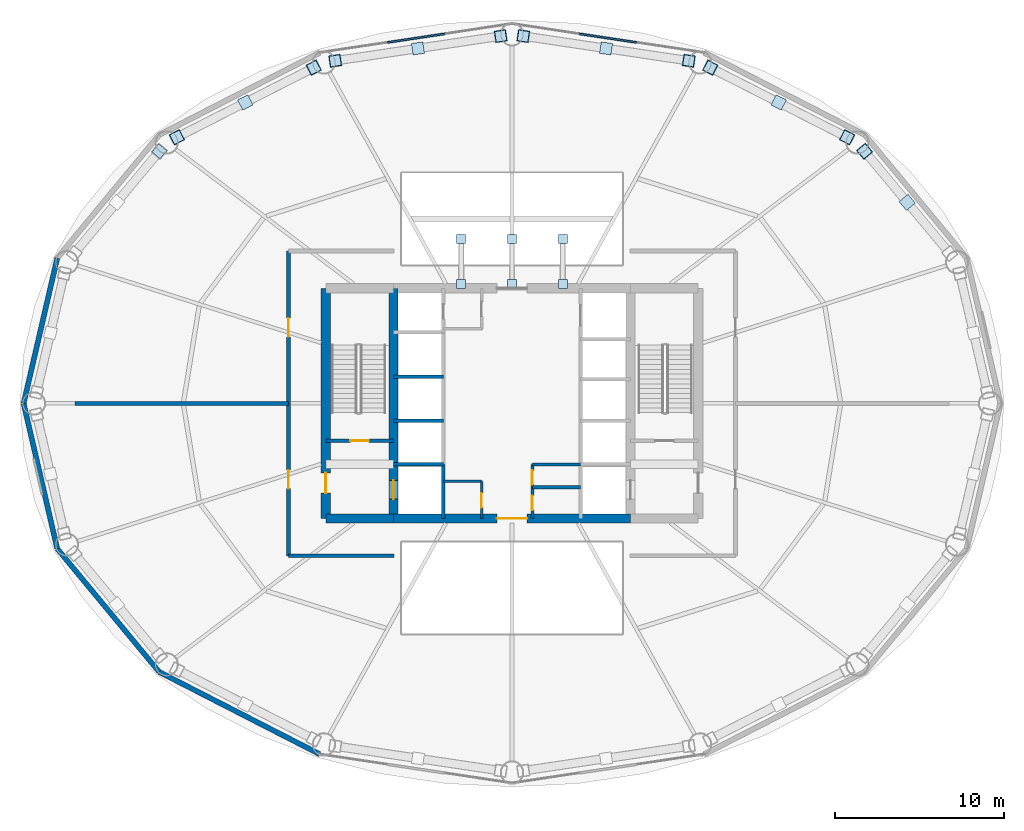
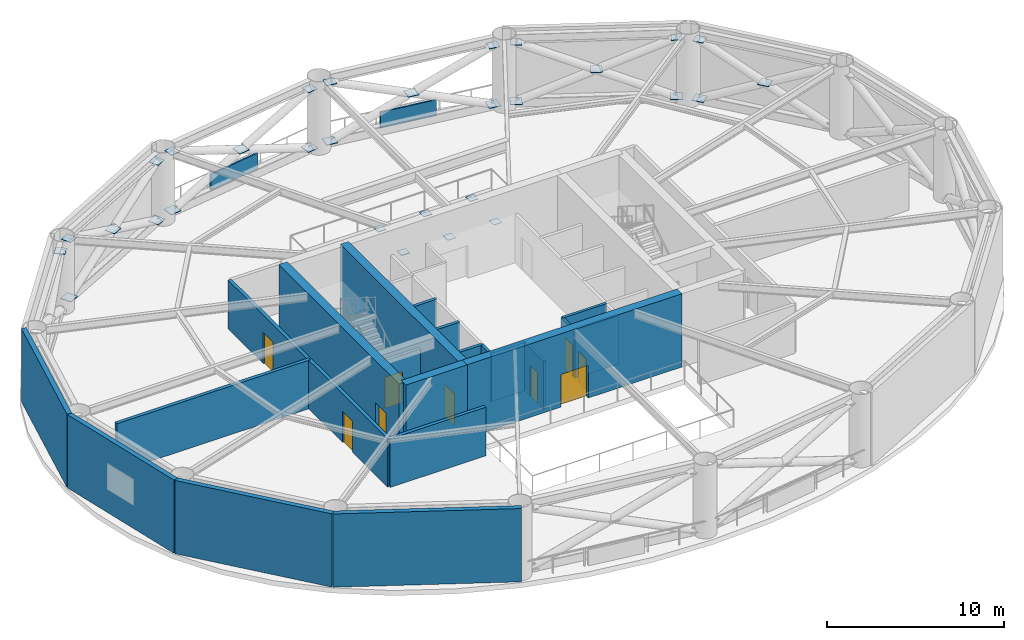
# One storey, part 4 of 7: 32 plates, 21 walls, 9 doors, 9 openings.
"""IFC4 building model written with IfcOpenShell, lengths in metres."""

from ifc_helpers import new_model, si_unit, direction, frame, frame_2d, origin, origin_2d, place, context, subcontext, project, spatial, rectangle, extrude, material, layer, layer_set, type_object, element, fill, save


model = new_model("IFC4")

# Units and contexts
model_context = context("Model", 3, precision=1e-05, world=origin(), true_north=direction((0.0, 1.0)))
body_context = subcontext(model_context, "Body", "Model", "MODEL_VIEW")
ifc_project = project(units=[si_unit("LENGTHUNIT", "METRE"), si_unit("AREAUNIT", "SQUARE_METRE"), si_unit("VOLUMEUNIT", "CUBIC_METRE"), si_unit("PLANEANGLEUNIT", "RADIAN"), si_unit("MASSUNIT", "GRAM", prefix="KILO")], contexts=[model_context])

# Site, building, storey
site_placement = place(None, origin())
site = spatial("IfcSite", under=ifc_project, at=site_placement, CompositionType="ELEMENT")
building_placement = place(site_placement, origin())
building = spatial("IfcBuilding", under=site, at=building_placement, Name="Sarneth Arch Tower", CompositionType="ELEMENT")
storey_placement = place(building_placement, frame((0.0, 0.0, 139.800048828125)))
storey = spatial("IfcBuildingStorey", under=building, at=storey_placement, Name="L35", CompositionType="ELEMENT", Elevation=139.800048828125)

# Plates
ifc_material_1 = material(Name="Aerodynamic Aluminium 6063-T6 wind-slot intake louvre", Category="aluminium")
ifc_layer_1 = layer(ifc_material_1, 0.110107421875)
ifc_layer_set_1 = layer_set([ifc_layer_1], Name="Aerodynamic Aluminium 6063-T6 wind-slot intake louvre")
plate_type_1 = type_object("IfcPlateType", Name="LOUVRE-TURBINE", PredefinedType="SHEET", material=ifc_layer_set_1)
for number, where, z_axis, x_axis, name in (
    (1, (53.675537109375, 63.576416015625, 0.0), (0.0, 0.0, 1.0), (-0.988886498745, 0.148672433897, 0.0), "L35 Wind-slot aerodynamic intake louvre 04"),
    (2, (42.324462890625, 63.576416015625, 0.0), (0.0, 0.0, 1.0), (-0.988886498745, -0.148672433897, 0.0), "L35 Wind-slot aerodynamic intake louvre 05"),
):
    element("IfcPlate", number, at=place(storey_placement, frame(where, z_axis=z_axis, x_axis=x_axis)), inside=storey, type_object=plate_type_1, Name=name, PredefinedType="SHEET", context=body_context, shape_type="SweptSolid", body=[
        extrude(rectangle(XDim=3.39990234375, YDim=0.110107421875, at=origin_2d()), origin(), (0.0, 0.0, 1.0), 1.10009765625),
    ])
ifc_material_2 = material(Name="Steel S355", Category="steel")
ifc_layer_2 = layer(ifc_material_2, 0.035888671875)
ifc_layer_set_2 = layer_set([ifc_layer_2], Name="Steel S355")
plate_type_2 = type_object("IfcPlateType", Name="PLT-GUSSET-30", PredefinedType="SHEET", material=ifc_layer_set_2)
plate_1_placement = place(storey_placement, frame((71.344482421875, 53.878662109375, 2.36669921875), z_axis=(0.0, 0.0, 1.0), x_axis=(-0.640109699485, 0.768283523594, 0.0)))
element("IfcPlate", 3, at=plate_1_placement, inside=storey, type_object=plate_type_2, Name="Steel end cap plate GP-1", PredefinedType="SHEET", context=body_context, shape_type="SweptSolid", body=[
    extrude(rectangle(XDim=0.679931640625, YDim=0.679931640625, at=origin_2d()), origin(), (0.0, 0.0, 1.0), 0.035888671875),
])
plate_2_placement = place(storey_placement, frame((68.829833984375, 56.896484375, 0.33203125), z_axis=(0.0, 0.0, 1.0), x_axis=(-0.640109699485, 0.768283523594, 0.0)))
element("IfcPlate", 4, at=plate_2_placement, inside=storey, type_object=plate_type_2, Name="Steel end cap plate GP-1", PredefinedType="SHEET", context=body_context, shape_type="SweptSolid", body=[
    extrude(rectangle(XDim=0.699951171875, YDim=0.699951171875, at=origin_2d()), origin(), (0.0, 0.0, 1.0), 0.035888671875),
])
plate_3_placement = place(storey_placement, frame((68.829833984375, 56.896484375, 4.40087890625), z_axis=(0.0, 0.0, 1.0), x_axis=(-0.640109699485, 0.768283523594, 0.0)))
element("IfcPlate", 5, at=plate_3_placement, inside=storey, type_object=plate_type_2, Name="Steel end cap plate GP-1", PredefinedType="SHEET", context=body_context, shape_type="SweptSolid", body=[
    extrude(rectangle(XDim=0.6298828125, YDim=0.6298828125, at=origin_2d()), origin(), (0.0, 0.0, 1.0), 0.035888671875),
])
plate_4_placement = place(storey_placement, frame((63.75390625, 59.77783203125, 2.36669921875), z_axis=(0.0, 0.0, 1.0), x_axis=(-0.89124411091, 0.453523907604, 0.0)))
element("IfcPlate", 6, at=plate_4_placement, inside=storey, type_object=plate_type_2, Name="Steel end cap plate GP-1", PredefinedType="SHEET", context=body_context, shape_type="SweptSolid", body=[
    extrude(rectangle(XDim=0.679931640625, YDim=0.679931640625, at=origin_2d()), origin(), (0.0, 0.0, 1.0), 0.035888671875),
])
for number, where, z_axis, x_axis, name in (
    (7, (67.796142578125, 57.720947265625, 0.33203125), (0.0, 0.0, 1.0), (0.89124411091, -0.453523907604, 0.0), "Steel end cap plate GP-1"),
    (8, (59.7119140625, 61.83447265625, 0.33203125), (0.0, 0.0, 1.0), (-0.89124411091, 0.453523907604, 0.0), "Steel end cap plate GP-1"),
):
    element("IfcPlate", number, at=place(storey_placement, frame(where, z_axis=z_axis, x_axis=x_axis)), inside=storey, type_object=plate_type_2, Name=name, PredefinedType="SHEET", context=body_context, shape_type="SweptSolid", body=[
        extrude(rectangle(XDim=0.699951171875, YDim=0.699951171875, at=origin_2d()), origin(), (0.0, 0.0, 1.0), 0.035888671875),
    ])
for number, where, z_axis, x_axis, name in (
    (9, (67.796142578125, 57.720947265625, 4.40087890625), (0.0, 0.0, 1.0), (0.89124411091, -0.453523907604, 0.0), "Steel end cap plate GP-1"),
    (10, (59.7119140625, 61.83447265625, 4.40087890625), (0.0, 0.0, 1.0), (-0.89124411091, 0.453523907604, 0.0), "Steel end cap plate GP-1"),
):
    element("IfcPlate", number, at=place(storey_placement, frame(where, z_axis=z_axis, x_axis=x_axis)), inside=storey, type_object=plate_type_2, Name=name, PredefinedType="SHEET", context=body_context, shape_type="SweptSolid", body=[
        extrude(rectangle(XDim=0.6298828125, YDim=0.6298828125, at=origin_2d()), origin(), (0.0, 0.0, 1.0), 0.035888671875),
    ])
plate_5_placement = place(storey_placement, frame((53.55517578125, 62.97021484375, 2.36669921875), z_axis=(0.0, 0.0, 1.0), x_axis=(-0.989041645907, 0.147636793048, 0.0)))
element("IfcPlate", 11, at=plate_5_placement, inside=storey, type_object=plate_type_2, Name="Steel end cap plate GP-1", PredefinedType="SHEET", context=body_context, shape_type="SweptSolid", body=[
    extrude(rectangle(XDim=0.679931640625, YDim=0.679931640625, at=origin_2d()), origin(), (0.0, 0.0, 1.0), 0.035888671875),
])
for number, where, z_axis, x_axis, name in (
    (12, (58.442626953125, 62.240234375, 0.33203125), (0.0, 0.0, 1.0), (0.989041645907, -0.147636793048, 0.0), "Steel end cap plate GP-1"),
    (13, (48.66748046875, 63.7001953125, 0.33203125), (0.0, 0.0, 1.0), (-0.989041645907, 0.147636793048, 0.0), "Steel end cap plate GP-1"),
):
    element("IfcPlate", number, at=place(storey_placement, frame(where, z_axis=z_axis, x_axis=x_axis)), inside=storey, type_object=plate_type_2, Name=name, PredefinedType="SHEET", context=body_context, shape_type="SweptSolid", body=[
        extrude(rectangle(XDim=0.699951171875, YDim=0.699951171875, at=origin_2d()), origin(), (0.0, 0.0, 1.0), 0.035888671875),
    ])
for number, where, z_axis, x_axis, name in (
    (14, (58.442626953125, 62.240234375, 4.40087890625), (0.0, 0.0, 1.0), (0.989041645907, -0.147636793048, 0.0), "Steel end cap plate GP-1"),
    (15, (48.66748046875, 63.7001953125, 4.40087890625), (0.0, 0.0, 1.0), (-0.989041645907, 0.147636793048, 0.0), "Steel end cap plate GP-1"),
):
    element("IfcPlate", number, at=place(storey_placement, frame(where, z_axis=z_axis, x_axis=x_axis)), inside=storey, type_object=plate_type_2, Name=name, PredefinedType="SHEET", context=body_context, shape_type="SweptSolid", body=[
        extrude(rectangle(XDim=0.6298828125, YDim=0.6298828125, at=origin_2d()), origin(), (0.0, 0.0, 1.0), 0.035888671875),
    ])
plate_6_placement = place(storey_placement, frame((42.44482421875, 62.97021484375, 2.36669921875), z_axis=(0.0, 0.0, 1.0), x_axis=(-0.989041645907, -0.147636793048, 0.0)))
element("IfcPlate", 16, at=plate_6_placement, inside=storey, type_object=plate_type_2, Name="Steel end cap plate GP-1", PredefinedType="SHEET", context=body_context, shape_type="SweptSolid", body=[
    extrude(rectangle(XDim=0.679931640625, YDim=0.679931640625, at=origin_2d()), origin(), (0.0, 0.0, 1.0), 0.035888671875),
])
for number, where, z_axis, x_axis, name in (
    (17, (47.33251953125, 63.7001953125, 0.33203125), (0.0, 0.0, 1.0), (0.989041645907, 0.147636793048, 0.0), "Steel end cap plate GP-1"),
    (18, (37.557373046875, 62.240234375, 0.33203125), (0.0, 0.0, 1.0), (-0.989041645907, -0.147636793048, 0.0), "Steel end cap plate GP-1"),
):
    element("IfcPlate", number, at=place(storey_placement, frame(where, z_axis=z_axis, x_axis=x_axis)), inside=storey, type_object=plate_type_2, Name=name, PredefinedType="SHEET", context=body_context, shape_type="SweptSolid", body=[
        extrude(rectangle(XDim=0.699951171875, YDim=0.699951171875, at=origin_2d()), origin(), (0.0, 0.0, 1.0), 0.035888671875),
    ])
for number, where, z_axis, x_axis, name in (
    (19, (47.33251953125, 63.7001953125, 4.40087890625), (0.0, 0.0, 1.0), (0.989041645907, 0.147636793048, 0.0), "Steel end cap plate GP-1"),
    (20, (37.557373046875, 62.240234375, 4.40087890625), (0.0, 0.0, 1.0), (-0.989041645907, -0.147636793048, 0.0), "Steel end cap plate GP-1"),
):
    element("IfcPlate", number, at=place(storey_placement, frame(where, z_axis=z_axis, x_axis=x_axis)), inside=storey, type_object=plate_type_2, Name=name, PredefinedType="SHEET", context=body_context, shape_type="SweptSolid", body=[
        extrude(rectangle(XDim=0.6298828125, YDim=0.6298828125, at=origin_2d()), origin(), (0.0, 0.0, 1.0), 0.035888671875),
    ])
plate_7_placement = place(storey_placement, frame((32.24609375, 59.77783203125, 2.36669921875), z_axis=(0.0, 0.0, 1.0), x_axis=(-0.89124411091, -0.453523907604, 0.0)))
element("IfcPlate", 21, at=plate_7_placement, inside=storey, type_object=plate_type_2, Name="Steel end cap plate GP-1", PredefinedType="SHEET", context=body_context, shape_type="SweptSolid", body=[
    extrude(rectangle(XDim=0.679931640625, YDim=0.679931640625, at=origin_2d()), origin(), (0.0, 0.0, 1.0), 0.035888671875),
])
for number, where, z_axis, x_axis, name in (
    (22, (36.2880859375, 61.83447265625, 0.33203125), (0.0, 0.0, 1.0), (0.89124411091, 0.453523907604, 0.0), "Steel end cap plate GP-1"),
    (23, (28.203857421875, 57.720947265625, 0.33203125), (0.0, 0.0, 1.0), (-0.89124411091, -0.453523907604, 0.0), "Steel end cap plate GP-1"),
):
    element("IfcPlate", number, at=place(storey_placement, frame(where, z_axis=z_axis, x_axis=x_axis)), inside=storey, type_object=plate_type_2, Name=name, PredefinedType="SHEET", context=body_context, shape_type="SweptSolid", body=[
        extrude(rectangle(XDim=0.699951171875, YDim=0.699951171875, at=origin_2d()), origin(), (0.0, 0.0, 1.0), 0.035888671875),
    ])
for number, where, z_axis, x_axis, name in (
    (24, (36.2880859375, 61.83447265625, 4.40087890625), (0.0, 0.0, 1.0), (0.89124411091, 0.453523907604, 0.0), "Steel end cap plate GP-1"),
    (25, (28.203857421875, 57.720947265625, 4.40087890625), (0.0, 0.0, 1.0), (-0.89124411091, -0.453523907604, 0.0), "Steel end cap plate GP-1"),
    (26, (27.170166015625, 56.896484375, 4.40087890625), (0.0, 0.0, 1.0), (0.640109699485, 0.768283523594, 0.0), "Steel end cap plate GP-1"),
):
    element("IfcPlate", number, at=place(storey_placement, frame(where, z_axis=z_axis, x_axis=x_axis)), inside=storey, type_object=plate_type_2, Name=name, PredefinedType="SHEET", context=body_context, shape_type="SweptSolid", body=[
        extrude(rectangle(XDim=0.6298828125, YDim=0.6298828125, at=origin_2d()), origin(), (0.0, 0.0, 1.0), 0.035888671875),
    ])
for number, where, z_axis, x_axis, name in (
    (27, (45.0, 49.054931640625, 2.83203125), (0.0, 0.0, 1.0), (0.0, -1.0, 0.0), "Steel end cap plate GP-1"),
    (28, (45.0, 51.72509765625, 2.83203125), (0.0, 0.0, 1.0), (0.0, 1.0, 0.0), "Steel end cap plate GP-1"),
    (29, (48.0, 49.054931640625, 2.83203125), (0.0, 0.0, 1.0), (0.0, -1.0, 0.0), "Steel end cap plate GP-1"),
    (30, (48.0, 51.72509765625, 2.83203125), (0.0, 0.0, 1.0), (0.0, 1.0, 0.0), "Steel end cap plate GP-1"),
    (31, (51.0, 49.054931640625, 2.83203125), (0.0, 0.0, 1.0), (0.0, -1.0, 0.0), "Steel end cap plate GP-1"),
    (32, (51.0, 51.72509765625, 2.83203125), (0.0, 0.0, 1.0), (0.0, 1.0, 0.0), "Steel end cap plate GP-1"),
):
    element("IfcPlate", number, at=place(storey_placement, frame(where, z_axis=z_axis, x_axis=x_axis)), inside=storey, type_object=plate_type_2, Name=name, PredefinedType="SHEET", context=body_context, shape_type="SweptSolid", body=[
        extrude(rectangle(XDim=0.530029296875, YDim=0.530029296875, at=origin_2d()), origin(), (0.0, 0.0, 1.0), 0.035888671875),
    ])

# Wall
ifc_material_3 = material(Name="Concrete C60/75", Category="concrete")
ifc_layer_3 = layer(ifc_material_3, 0.550048828125)
ifc_layer_set_3 = layer_set([ifc_layer_3], Name="Concrete C60/75")
wall_type_1 = type_object("IfcWallType", Name="WALL-CORE-550", PredefinedType="SHEAR", material=ifc_layer_set_3)
wall_1_placement = place(storey_placement, frame((37.0, 35.199951171875, 0.0), z_axis=(0.0, 0.0, 1.0), x_axis=(1.0, 0.0, 0.0)))
element("IfcWall", 33, at=wall_1_placement, inside=storey, type_object=wall_type_1, Name="L35 Core shear wall S-W", PredefinedType="SHEAR", context=body_context, shape_type="SweptSolid", body=[
    extrude(rectangle(XDim=4.0, YDim=0.550048828125, at=frame_2d((2.0, 0.0))), origin(), (0.0, 0.0, 1.0), 5.050048828125),
])

# Wall, opening, door
wall_2_placement = place(storey_placement, frame((41.0, 35.199951171875, 0.0), z_axis=(0.0, 0.0, 1.0), x_axis=(1.0, 0.0, 0.0)))
wall_2 = element("IfcWall", 34, at=wall_2_placement, inside=storey, type_object=wall_type_1, Name="L35 Core shear wall S-M", PredefinedType="SHEAR", context=body_context, shape_type="SweptSolid", body=[
    extrude(rectangle(XDim=14.0, YDim=0.550048828125, at=frame_2d((7.0, 0.0))), origin(), (0.0, 0.0, 1.0), 5.050048828125),
])
opening_1_placement = place(wall_2_placement, frame((6.10009765625, 0.0, 0.0)))
opening_1 = element("IfcOpeningElement", 35, at=opening_1_placement, cuts=wall_2, Name="Opening FD-01", PredefinedType="OPENING", context=body_context, shape_type="SweptSolid", body=[
    extrude(rectangle(XDim=1.800048828125, YDim=2.25, at=frame_2d((0.89990234375, 1.125))), frame((0.0, 0.284912109375, 0.0), z_axis=(0.0, -1.0, 0.0), x_axis=(1.0, 0.0, 0.0)), (0.0, 0.0, 1.0), 0.570068359375),
])
ifc_material_4 = material(Name="Galvanised Steel S275 fire door set", Category="steel")
door_type_1 = type_object("IfcDoorType", Name="DR-FD90-1800", OperationType="DOUBLE_DOOR_SINGLE_SWING", PredefinedType="DOOR", material=ifc_material_4)
door_1_placement = place(opening_1_placement, origin())
door_1 = element("IfcDoor", 36, at=door_1_placement, inside=storey, type_object=door_type_1, Name="L35 Central lift lobby south door", OperationType="DOUBLE_DOOR_SINGLE_SWING", OverallHeight=2.25, OverallWidth=1.800048828125, PredefinedType="DOOR", context=body_context, shape_type="SweptSolid", body=[
    extrude(rectangle(XDim=1.800048828125, YDim=2.25, at=frame_2d((0.89990234375, 1.125))), frame((0.0, 0.02490234375, 0.0), z_axis=(0.0, -1.0, 0.0), x_axis=(1.0, 0.0, 0.0)), (0.0, 0.0, 1.0), 0.050048828125),
])
fill(opening_1, door_1)

wall_3_placement = place(storey_placement, frame((37.0, 35.199951171875, 0.0), z_axis=(0.0, 0.0, 1.0), x_axis=(0.0, 1.0, 0.0)))
wall_3 = element("IfcWall", 37, at=wall_3_placement, inside=storey, type_object=wall_type_1, Name="L35 Core shear wall W", PredefinedType="SHEAR", context=body_context, shape_type="SweptSolid", body=[
    extrude(rectangle(XDim=13.60009765625, YDim=0.550048828125, at=frame_2d((6.800048828125, 0.0))), origin(), (0.0, 0.0, 1.0), 5.050048828125),
])
opening_2_placement = place(wall_3_placement, frame((1.5, 0.0, 0.0)))
opening_2 = element("IfcOpeningElement", 38, at=opening_2_placement, cuts=wall_3, Name="Opening FD-02", PredefinedType="OPENING", context=body_context, shape_type="SweptSolid", body=[
    extrude(rectangle(XDim=1.199951171875, YDim=2.14990234375, at=frame_2d((0.60009765625, 1.074951171875))), frame((0.0, 0.284912109375, 0.0), z_axis=(0.0, -1.0, 0.0), x_axis=(1.0, 0.0, 0.0)), (0.0, 0.0, 1.0), 0.570068359375),
])
ifc_material_5 = material(Name="Galvanised Steel S275 fire door set", Category="steel")
door_type_2 = type_object("IfcDoorType", Name="DR-FD90-1200", OperationType="SINGLE_SWING_LEFT", PredefinedType="DOOR", material=ifc_material_5)
door_2_placement = place(opening_2_placement, origin())
door_2 = element("IfcDoor", 39, at=door_2_placement, inside=storey, type_object=door_type_2, Name="L35 Firefighting lobby 1 exit door", OperationType="SINGLE_SWING_LEFT", OverallHeight=2.14990234375, OverallWidth=1.199951171875, PredefinedType="DOOR", context=body_context, shape_type="SweptSolid", body=[
    extrude(rectangle(XDim=1.199951171875, YDim=2.14990234375, at=frame_2d((0.60009765625, 1.074951171875))), frame((0.0, 0.02490234375, 0.0), z_axis=(0.0, -1.0, 0.0), x_axis=(1.0, 0.0, 0.0)), (0.0, 0.0, 1.0), 0.050048828125),
])
fill(opening_2, door_2)

wall_4_placement = place(storey_placement, frame((41.0, 35.199951171875, 0.0), z_axis=(0.0, 0.0, 1.0), x_axis=(0.0, 1.0, 0.0)))
wall_4 = element("IfcWall", 40, at=wall_4_placement, inside=storey, type_object=wall_type_1, Name="L35 Core shear wall WEB-W", PredefinedType="SHEAR", context=body_context, shape_type="SweptSolid", body=[
    extrude(rectangle(XDim=13.60009765625, YDim=0.550048828125, at=frame_2d((6.800048828125, 0.0))), origin(), (0.0, 0.0, 1.0), 5.050048828125),
])
opening_3_placement = place(wall_4_placement, frame((1.14990234375, 0.0, 0.0)))
opening_3 = element("IfcOpeningElement", 41, at=opening_3_placement, cuts=wall_4, Name="Opening LD-1", PredefinedType="OPENING", context=body_context, shape_type="SweptSolid", body=[
    extrude(rectangle(XDim=1.10009765625, YDim=2.199951171875, at=frame_2d((0.550048828125, 1.10009765625))), frame((0.0, 0.284912109375, 0.0), z_axis=(0.0, -1.0, 0.0), x_axis=(1.0, 0.0, 0.0)), (0.0, 0.0, 1.0), 0.570068359375),
])
ifc_material_6 = material(Name="Brushed Stainless Steel 304 lift landing door", Category="steel")
door_type_3 = type_object("IfcDoorType", Name="DR-LIFT-SLIDE-1100", OperationType="SLIDING_TO_LEFT", PredefinedType="DOOR", material=ifc_material_6)
door_3_placement = place(opening_3_placement, origin())
door_3 = element("IfcDoor", 42, at=door_3_placement, inside=storey, type_object=door_type_3, Name="L35 Firefighting lift landing door FL-1", OperationType="SLIDING_TO_LEFT", OverallHeight=2.199951171875, OverallWidth=1.10009765625, PredefinedType="DOOR", context=body_context, shape_type="SweptSolid", body=[
    extrude(rectangle(XDim=1.10009765625, YDim=2.199951171875, at=frame_2d((0.550048828125, 1.10009765625))), frame((0.0, 0.02490234375, 0.0), z_axis=(0.0, -1.0, 0.0), x_axis=(1.0, 0.0, 0.0)), (0.0, 0.0, 1.0), 0.050048828125),
])
fill(opening_3, door_3)

# Walls
ifc_material_7 = material(Name="Extruded terracotta rainscreen on Concrete C40/50 backing", Category="masonry")
ifc_layer_4 = layer(ifc_material_7, 0.300048828125)
ifc_layer_set_4 = layer_set([ifc_layer_4], Name="Extruded terracotta rainscreen on Concrete C40/50 backing")
wall_type_2 = type_object("IfcWallType", Name="WALL-EXT-ACOUST-300", PredefinedType="SOLIDWALL", material=ifc_layer_set_4)
for number, where, z_axis, x_axis, name in (
    (43, (21.138671875, 50.58349609375, 0.0), (0.0, 0.0, 1.0), (-0.22558597182, -0.974223264616, 0.0), "L35 Terracotta perimeter wall 08"),
    (44, (19.151123046875, 42.0, 0.0), (0.0, 0.0, 1.0), (0.22558597182, -0.974223264616, 0.0), "L35 Terracotta perimeter wall 09"),
):
    element("IfcWall", number, at=place(storey_placement, frame(where, z_axis=z_axis, x_axis=x_axis)), inside=storey, type_object=wall_type_2, Name=name, PredefinedType="SOLIDWALL", context=body_context, shape_type="SweptSolid", body=[
        extrude(rectangle(XDim=8.810546875, YDim=0.300048828125, at=frame_2d((4.4052734375, 0.0))), origin(), (0.0, 0.0, 1.0), 5.050048828125),
    ])
wall_5_placement = place(storey_placement, frame((21.138671875, 33.41650390625, 0.0), z_axis=(0.0, 0.0, 1.0), x_axis=(0.637505817448, -0.770445541696, 0.0)))
element("IfcWall", 45, at=wall_5_placement, inside=storey, type_object=wall_type_2, Name="L35 Terracotta perimeter wall 10", PredefinedType="SOLIDWALL", context=body_context, shape_type="SweptSolid", body=[
    extrude(rectangle(XDim=9.445068359375, YDim=0.300048828125, at=frame_2d((4.72265625, 0.0))), origin(), (0.0, 0.0, 1.0), 5.050048828125),
])
wall_6_placement = place(storey_placement, frame((27.159912109375, 26.1396484375, 0.0), z_axis=(0.0, 0.0, 1.0), x_axis=(0.889959505023, -0.45603955905, 0.0)))
element("IfcWall", 46, at=wall_6_placement, inside=storey, type_object=wall_type_2, Name="L35 Terracotta perimeter wall 11", PredefinedType="SOLIDWALL", context=body_context, shape_type="SweptSolid", body=[
    extrude(rectangle(XDim=10.662109375, YDim=0.300048828125, at=frame_2d((5.3310546875, 0.0))), origin(), (0.0, 0.0, 1.0), 5.050048828125),
])
ifc_material_8 = material(Name="Aerated concrete blockwork C25/30", Category="masonry")
ifc_layer_5 = layer(ifc_material_8, 0.219970703125)
ifc_layer_set_5 = layer_set([ifc_layer_5], Name="Aerated concrete blockwork C25/30")
wall_type_3 = type_object("IfcWallType", Name="WALL-FIRE-220", PredefinedType="SOLIDWALL", material=ifc_layer_set_5)
wall_7_placement = place(storey_placement, frame((22.193359375, 42.0, 0.0), z_axis=(0.0, 0.0, 1.0), x_axis=(1.0, 0.0, 0.0)))
element("IfcWall", 47, at=wall_7_placement, inside=storey, type_object=wall_type_3, Name="L35 Interior partition W-L35-TP-009", PredefinedType="SOLIDWALL", context=body_context, shape_type="SweptSolid", body=[
    extrude(rectangle(XDim=12.606689453125, YDim=0.219970703125, at=frame_2d((6.30322265625, 0.0))), origin(), (0.0, 0.0, 1.0), 3.349853515625),
])

# Wall, openings, doors
wall_8_placement = place(storey_placement, frame((34.800048828125, 33.0, 0.0), z_axis=(0.0, 0.0, 1.0), x_axis=(0.0, 1.0, 0.0)))
wall_8 = element("IfcWall", 48, at=wall_8_placement, inside=storey, type_object=wall_type_3, Name="L35 Interior partition W-L35-TP-002", PredefinedType="SOLIDWALL", context=body_context, shape_type="SweptSolid", body=[
    extrude(rectangle(XDim=18.0, YDim=0.219970703125, at=frame_2d((9.0, 0.0))), origin(), (0.0, 0.0, 1.0), 3.349853515625),
])
opening_4_placement = place(wall_8_placement, frame((3.966064453125, 0.0, 0.0)))
opening_4 = element("IfcOpeningElement", 49, at=opening_4_placement, cuts=wall_8, Name="Opening FD-03", PredefinedType="OPENING", context=body_context, shape_type="SweptSolid", body=[
    extrude(rectangle(XDim=1.10009765625, YDim=2.14990234375, at=frame_2d((0.550048828125, 1.074951171875))), frame((0.0, 0.119873046875, 0.0), z_axis=(0.0, -1.0, 0.0), x_axis=(1.0, 0.0, 0.0)), (0.0, 0.0, 1.0), 0.239990234375),
])
opening_5_placement = place(wall_8_placement, frame((12.93408203125, 0.0, 0.0)))
opening_5 = element("IfcOpeningElement", 50, at=opening_5_placement, cuts=wall_8, Name="Opening FD-03", PredefinedType="OPENING", context=body_context, shape_type="SweptSolid", body=[
    extrude(rectangle(XDim=1.10009765625, YDim=2.14990234375, at=frame_2d((0.550048828125, 1.074951171875))), frame((0.0, 0.119873046875, 0.0), z_axis=(0.0, -1.0, 0.0), x_axis=(1.0, 0.0, 0.0)), (0.0, 0.0, 1.0), 0.239990234375),
])
ifc_material_9 = material(Name="Galvanised Steel S275 fire door set", Category="steel")
door_type_4 = type_object("IfcDoorType", Name="DR-FD90-1100", OperationType="SINGLE_SWING_LEFT", PredefinedType="DOOR", material=ifc_material_9)
door_4_placement = place(opening_4_placement, origin())
door_4 = element("IfcDoor", 51, at=door_4_placement, inside=storey, type_object=door_type_4, Name="L35 Interior door DR-L35-PSEC-1", OperationType="SINGLE_SWING_LEFT", OverallHeight=2.14990234375, OverallWidth=1.10009765625, PredefinedType="DOOR", context=body_context, shape_type="SweptSolid", body=[
    extrude(rectangle(XDim=1.10009765625, YDim=2.14990234375, at=frame_2d((0.550048828125, 1.074951171875))), frame((0.0, 0.02490234375, 0.0), z_axis=(0.0, -1.0, 0.0), x_axis=(1.0, 0.0, 0.0)), (0.0, 0.0, 1.0), 0.050048828125),
])
fill(opening_4, door_4)
door_5_placement = place(opening_5_placement, origin())
door_5 = element("IfcDoor", 52, at=door_5_placement, inside=storey, type_object=door_type_4, Name="L35 Interior door DR-L35-PSEC-2", OperationType="SINGLE_SWING_LEFT", OverallHeight=2.14990234375, OverallWidth=1.10009765625, PredefinedType="DOOR", context=body_context, shape_type="SweptSolid", body=[
    extrude(rectangle(XDim=1.10009765625, YDim=2.14990234375, at=frame_2d((0.550048828125, 1.074951171875))), frame((0.0, 0.02490234375, 0.0), z_axis=(0.0, -1.0, 0.0), x_axis=(1.0, 0.0, 0.0)), (0.0, 0.0, 1.0), 0.050048828125),
])
fill(opening_5, door_5)

# Walls
wall_9_placement = place(storey_placement, frame((41.031982421875, 33.0, 0.0), z_axis=(0.0, 0.0, 1.0), x_axis=(-1.0, 0.0, 0.0)))
element("IfcWall", 53, at=wall_9_placement, inside=storey, type_object=wall_type_3, Name="L35 Interior partition W-L35-TP-001", PredefinedType="SOLIDWALL", context=body_context, shape_type="SweptSolid", body=[
    extrude(rectangle(XDim=6.23193359375, YDim=0.219970703125, at=frame_2d((3.115966796875, 0.0))), origin(), (0.0, 0.0, 1.0), 3.349853515625),
])
ifc_material_10 = material(Name="Acoustic gypsum stud partition", Category="gypsum")
ifc_layer_6 = layer(ifc_material_10, 0.14990234375)
ifc_layer_set_6 = layer_set([ifc_layer_6], Name="Acoustic gypsum stud partition")
wall_type_4 = type_object("IfcWallType", Name="WALL-PART-150", PredefinedType="PARTITIONING", material=ifc_layer_set_6)
wall_10_placement = place(storey_placement, frame((43.949951171875, 37.39990234375, 0.0), z_axis=(0.0, 0.0, 1.0), x_axis=(1.0, 0.0, 0.0)))
element("IfcWall", 54, at=wall_10_placement, inside=storey, type_object=wall_type_4, Name="L35 Interior partition W-L35-CSUP1-N", PredefinedType="PARTITIONING", context=body_context, shape_type="SweptSolid", body=[
    extrude(rectangle(XDim=2.25, YDim=0.14990234375, at=frame_2d((1.125, 0.0))), origin(), (0.0, 0.0, 1.0), 3.349853515625),
])

# Wall, opening, door
wall_11_placement = place(storey_placement, frame((46.199951171875, 35.199951171875, 0.0), z_axis=(0.0, 0.0, 1.0), x_axis=(0.0, 1.0, 0.0)))
wall_11 = element("IfcWall", 55, at=wall_11_placement, inside=storey, type_object=wall_type_4, Name="L35 Interior partition W-L35-CSUP1-E", PredefinedType="PARTITIONING", context=body_context, shape_type="SweptSolid", body=[
    extrude(rectangle(XDim=2.199951171875, YDim=0.14990234375, at=frame_2d((1.10009765625, 0.0))), origin(), (0.0, 0.0, 1.0), 3.349853515625),
])
opening_6_placement = place(wall_11_placement, frame((0.64990234375, 0.0, 0.0)))
opening_6 = element("IfcOpeningElement", 56, at=opening_6_placement, cuts=wall_11, Name="Opening FD-11", PredefinedType="OPENING", context=body_context, shape_type="SweptSolid", body=[
    extrude(rectangle(XDim=0.85009765625, YDim=2.14990234375, at=frame_2d((0.425048828125, 1.074951171875))), frame((0.0, 0.0849609375, 0.0), z_axis=(0.0, -1.0, 0.0), x_axis=(1.0, 0.0, 0.0)), (0.0, 0.0, 1.0), 0.169921875),
])
ifc_material_11 = material(Name="Galvanised Steel S275 closet fire door", Category="steel")
door_type_5 = type_object("IfcDoorType", Name="DR-FD60-850", OperationType="SINGLE_SWING_LEFT", PredefinedType="DOOR", material=ifc_material_11)
door_6_placement = place(opening_6_placement, origin())
door_6 = element("IfcDoor", 57, at=door_6_placement, inside=storey, type_object=door_type_5, Name="L35 Interior door DR-L35-CSUP1", OperationType="SINGLE_SWING_LEFT", OverallHeight=2.14990234375, OverallWidth=0.85009765625, PredefinedType="DOOR", context=body_context, shape_type="SweptSolid", body=[
    extrude(rectangle(XDim=0.85009765625, YDim=2.14990234375, at=frame_2d((0.425048828125, 1.074951171875))), frame((0.0, 0.02490234375, 0.0), z_axis=(0.0, -1.0, 0.0), x_axis=(1.0, 0.0, 0.0)), (0.0, 0.0, 1.0), 0.050048828125),
])
fill(opening_6, door_6)

# Walls
ifc_material_12 = material(Name="Moisture-resistant plumbing chase wall", Category="gypsum")
ifc_layer_7 = layer(ifc_material_12, 0.179931640625)
ifc_layer_set_7 = layer_set([ifc_layer_7], Name="Moisture-resistant plumbing chase wall")
wall_type_5 = type_object("IfcWallType", Name="WALL-PLUMB-180", PredefinedType="PLUMBINGWALL", material=ifc_layer_set_7)
for number, where, z_axis, x_axis, name in (
    (58, (49.199951171875, 37.050048828125, 0.0), (0.0, 0.0, 1.0), (1.0, 0.0, 0.0), "L35 Interior partition W-L35-AWC-M"),
    (59, (49.199951171875, 38.39990234375, 0.0), (0.0, 0.0, 1.0), (1.0, 0.0, 0.0), "L35 Interior partition W-L35-AWC-N"),
):
    element("IfcWall", number, at=place(storey_placement, frame(where, z_axis=z_axis, x_axis=x_axis)), inside=storey, type_object=wall_type_5, Name=name, PredefinedType="PLUMBINGWALL", context=body_context, shape_type="SweptSolid", body=[
        extrude(rectangle(XDim=2.85009765625, YDim=0.179931640625, at=frame_2d((1.425048828125, 0.0))), origin(), (0.0, 0.0, 1.0), 3.349853515625),
    ])

# Wall, openings, doors
wall_12_placement = place(storey_placement, frame((49.199951171875, 35.199951171875, 0.0), z_axis=(0.0, 0.0, 1.0), x_axis=(0.0, 1.0, 0.0)))
wall_12 = element("IfcWall", 60, at=wall_12_placement, inside=storey, type_object=wall_type_5, Name="L35 Interior partition W-L35-AWC-W", PredefinedType="PLUMBINGWALL", context=body_context, shape_type="SweptSolid", body=[
    extrude(rectangle(XDim=3.199951171875, YDim=0.179931640625, at=frame_2d((1.60009765625, 0.0))), origin(), (0.0, 0.0, 1.0), 3.349853515625),
])
opening_7_placement = place(wall_12_placement, frame((0.5, 0.0, 0.0)))
opening_7 = element("IfcOpeningElement", 61, at=opening_7_placement, cuts=wall_12, Name="Opening ID-02", PredefinedType="OPENING", context=body_context, shape_type="SweptSolid", body=[
    extrude(rectangle(XDim=0.85009765625, YDim=2.10009765625, at=frame_2d((0.425048828125, 1.050048828125))), frame((0.0, 0.099853515625, 0.0), z_axis=(0.0, -1.0, 0.0), x_axis=(1.0, 0.0, 0.0)), (0.0, 0.0, 1.0), 0.199951171875),
])
opening_8_placement = place(wall_12_placement, frame((2.0, 0.0, 0.0)))
opening_8 = element("IfcOpeningElement", 62, at=opening_8_placement, cuts=wall_12, Name="Opening FD-11", PredefinedType="OPENING", context=body_context, shape_type="SweptSolid", body=[
    extrude(rectangle(XDim=0.85009765625, YDim=2.14990234375, at=frame_2d((0.425048828125, 1.074951171875))), frame((0.0, 0.099853515625, 0.0), z_axis=(0.0, -1.0, 0.0), x_axis=(1.0, 0.0, 0.0)), (0.0, 0.0, 1.0), 0.199951171875),
])
door_7_placement = place(opening_8_placement, origin())
door_7 = element("IfcDoor", 63, at=door_7_placement, inside=storey, type_object=door_type_5, Name="L35 Interior door DR-L35-CSUP3", OperationType="SINGLE_SWING_LEFT", OverallHeight=2.14990234375, OverallWidth=0.85009765625, PredefinedType="DOOR", context=body_context, shape_type="SweptSolid", body=[
    extrude(rectangle(XDim=0.85009765625, YDim=2.14990234375, at=frame_2d((0.425048828125, 1.074951171875))), frame((0.0, 0.02490234375, 0.0), z_axis=(0.0, -1.0, 0.0), x_axis=(1.0, 0.0, 0.0)), (0.0, 0.0, 1.0), 0.050048828125),
])
fill(opening_8, door_7)
ifc_material_13 = material(Name="Moisture-resistant bathroom timber door", Category="wood")
door_type_6 = type_object("IfcDoorType", Name="DR-INT-850", OperationType="SINGLE_SWING_RIGHT", PredefinedType="DOOR", material=ifc_material_13)
door_8_placement = place(opening_7_placement, origin())
door_8 = element("IfcDoor", 64, at=door_8_placement, inside=storey, type_object=door_type_6, Name="L35 Interior door DR-L35-AWC", OperationType="SINGLE_SWING_RIGHT", OverallHeight=2.10009765625, OverallWidth=0.85009765625, PredefinedType="DOOR", context=body_context, shape_type="SweptSolid", body=[
    extrude(rectangle(XDim=0.85009765625, YDim=2.10009765625, at=frame_2d((0.425048828125, 1.050048828125))), frame((0.0, 0.02490234375, 0.0), z_axis=(0.0, -1.0, 0.0), x_axis=(1.0, 0.0, 0.0)), (0.0, 0.0, 1.0), 0.050048828125),
])
fill(opening_7, door_8)

# Wall, opening, door
ifc_material_14 = material(Name="Aerated concrete blockwork C25/30", Category="masonry")
ifc_layer_8 = layer(ifc_material_14, 0.199951171875)
ifc_layer_set_8 = layer_set([ifc_layer_8], Name="Aerated concrete blockwork C25/30")
wall_type_6 = type_object("IfcWallType", Name="WALL-SHAFT-200", PredefinedType="SOLIDWALL", material=ifc_layer_set_8)
wall_13_placement = place(storey_placement, frame((37.0, 39.800048828125, 0.0), z_axis=(0.0, 0.0, 1.0), x_axis=(1.0, 0.0, 0.0)))
wall_13 = element("IfcWall", 65, at=wall_13_placement, inside=storey, type_object=wall_type_6, Name="L35 Interior partition W-L35-ST1-S", PredefinedType="SOLIDWALL", context=body_context, shape_type="SweptSolid", body=[
    extrude(rectangle(XDim=4.0, YDim=0.199951171875, at=frame_2d((2.0, 0.0))), origin(), (0.0, 0.0, 1.0), 3.349853515625),
])
opening_9_placement = place(wall_13_placement, frame((1.449951171875, 0.0, 0.0)))
opening_9 = element("IfcOpeningElement", 66, at=opening_9_placement, cuts=wall_13, Name="Opening FD-03", PredefinedType="OPENING", context=body_context, shape_type="SweptSolid", body=[
    extrude(rectangle(XDim=1.10009765625, YDim=2.14990234375, at=frame_2d((0.550048828125, 1.074951171875))), frame((0.0, 0.10986328125, 0.0), z_axis=(0.0, -1.0, 0.0), x_axis=(1.0, 0.0, 0.0)), (0.0, 0.0, 1.0), 0.219970703125),
])
door_9_placement = place(opening_9_placement, origin())
door_9 = element("IfcDoor", 67, at=door_9_placement, inside=storey, type_object=door_type_4, Name="L35 Interior door DR-L35-ST1", OperationType="SINGLE_SWING_LEFT", OverallHeight=2.14990234375, OverallWidth=1.10009765625, PredefinedType="DOOR", context=body_context, shape_type="SweptSolid", body=[
    extrude(rectangle(XDim=1.10009765625, YDim=2.14990234375, at=frame_2d((0.550048828125, 1.074951171875))), frame((0.0, 0.02490234375, 0.0), z_axis=(0.0, -1.0, 0.0), x_axis=(1.0, 0.0, 0.0)), (0.0, 0.0, 1.0), 0.050048828125),
])
fill(opening_9, door_9)

# Walls
wall_14_placement = place(storey_placement, frame((43.949951171875, 35.199951171875, 0.0), z_axis=(0.0, 0.0, 1.0), x_axis=(0.0, 1.0, 0.0)))
element("IfcWall", 68, at=wall_14_placement, inside=storey, type_object=wall_type_6, Name="L35 Interior partition W-L35-FL1-E", PredefinedType="SOLIDWALL", context=body_context, shape_type="SweptSolid", body=[
    extrude(rectangle(XDim=3.199951171875, YDim=0.199951171875, at=frame_2d((1.60009765625, 0.0))), origin(), (0.0, 0.0, 1.0), 3.349853515625),
])
for number, where, z_axis, x_axis, name in (
    (69, (41.0, 38.39990234375, 0.0), (0.0, 0.0, 1.0), (1.0, 0.0, 0.0), "L35 Interior partition W-L35-FL1-N"),
    (70, (41.0, 40.97998046875, 0.0), (0.0, 0.0, 1.0), (1.0, 0.0, 0.0), "L35 Interior partition W-L35-WB-DIV-4098"),
    (71, (41.0, 43.580078125, 0.0), (0.0, 0.0, 1.0), (1.0, 0.0, 0.0), "L35 Interior partition W-L35-WB-DIV-4358"),
):
    element("IfcWall", number, at=place(storey_placement, frame(where, z_axis=z_axis, x_axis=x_axis)), inside=storey, type_object=wall_type_6, Name=name, PredefinedType="SOLIDWALL", context=body_context, shape_type="SweptSolid", body=[
        extrude(rectangle(XDim=2.949951171875, YDim=0.199951171875, at=frame_2d((1.47509765625, 0.0))), origin(), (0.0, 0.0, 1.0), 3.349853515625),
    ])

save(model, "model.ifc")
